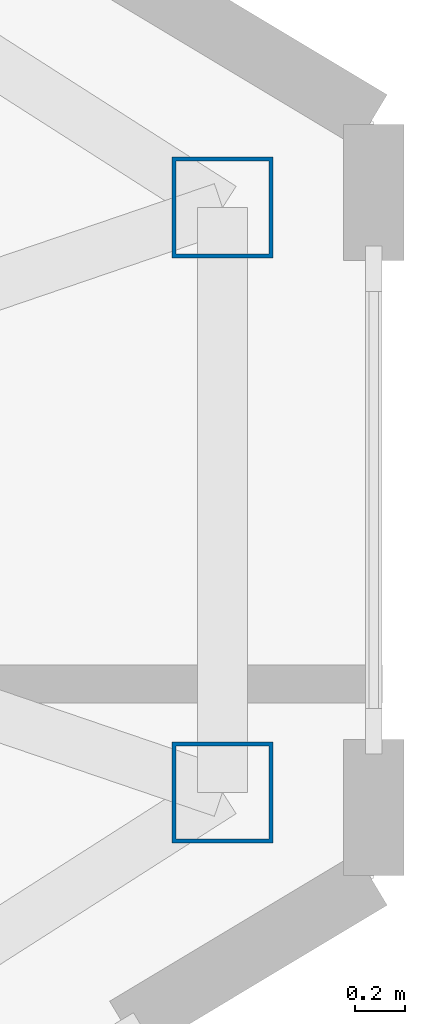
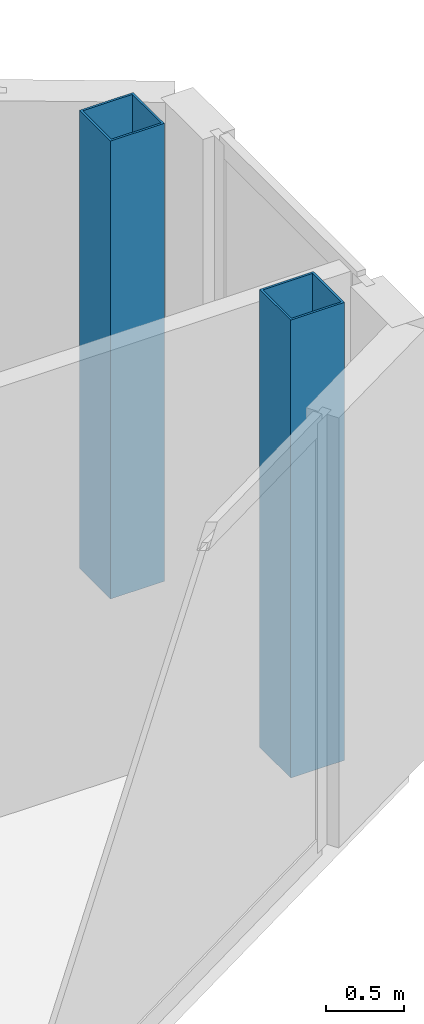
# One storey, part 4 of 25: 2 columns.
"""IFC4 building model written with IfcOpenShell, lengths in metres."""

from ifc_helpers import new_model, si_unit, direction, frame, origin, origin_2d, place, context, subcontext, project, spatial, hollow_rectangle, extrude, source, transform, mapped, material, material_profile, profile_set, type_object, type_shapes, element, save


model = new_model("IFC4")

# Units and contexts
model_context = context("Model", 3, precision=1e-05, world=origin(), true_north=direction((0.0, 1.0)))
body_context = subcontext(model_context, "Body", "Model", "MODEL_VIEW")
ifc_project = project(units=[si_unit("LENGTHUNIT", "METRE"), si_unit("AREAUNIT", "SQUARE_METRE"), si_unit("VOLUMEUNIT", "CUBIC_METRE"), si_unit("PLANEANGLEUNIT", "RADIAN"), si_unit("MASSUNIT", "GRAM", prefix="KILO")], contexts=[model_context])

# Site, building, storey
site_placement = place(None, origin())
site = spatial("IfcSite", under=ifc_project, at=site_placement, CompositionType="ELEMENT")
building_placement = place(site_placement, origin())
building = spatial("IfcBuilding", under=site, at=building_placement, Name="Seokmaru Belvedere", CompositionType="ELEMENT")
storey_placement = place(building_placement, frame((0.0, 0.0, 206.699951171875)))
storey = spatial("IfcBuildingStorey", under=building, at=storey_placement, Name="L55", CompositionType="ELEMENT", Elevation=206.699951171875)

# Columns
ifc_material = material(Name="Steel SM355 (355 MPa)", Category="steel")
ifc_material_profile = material_profile(ifc_material, hollow_rectangle(XDim=0.39990234375, YDim=0.39990234375, WallThickness=0.01611328125, at=origin_2d()), Name="HSS-400x400x16")
ifc_profile_set = profile_set([ifc_material_profile], Name="Steel SM355 (355 MPa)")
column_type = type_object("IfcColumnType", Name="Perimeter Facet Column HSS-400", PredefinedType="COLUMN", material=ifc_profile_set)
shared_shape = source(origin(), body_context, "Body", "SweptSolid", [
    extrude(hollow_rectangle(XDim=0.39990234375, YDim=0.39990234375, WallThickness=0.01611328125, at=origin_2d()), origin(), (0.0, 0.0, 1.0), 3.60009765625),
])
type_shapes(column_type, [shared_shape])
for number, where, z_axis, x_axis, name in (
    (1, (66.89990234375, -1.160400390625, 0.0), (0.0, 0.0, 1.0), (1.0, 0.0, 0.0), "L55 Column EF2"),
    (2, (66.89990234375, 1.160400390625, 0.0), (0.0, 0.0, 1.0), (1.0, 0.0, 0.0), "L55 Column EF3"),
):
    element("IfcColumn", number, at=place(storey_placement, frame(where, z_axis=z_axis, x_axis=x_axis)), inside=storey, type_object=column_type, Name=name, PredefinedType="COLUMN", context=body_context, shape_type="MappedRepresentation", body=[
        mapped(shared_shape, transform((0.0, 0.0, 0.0), scale=1.0)),
    ])

save(model, "model.ifc")
